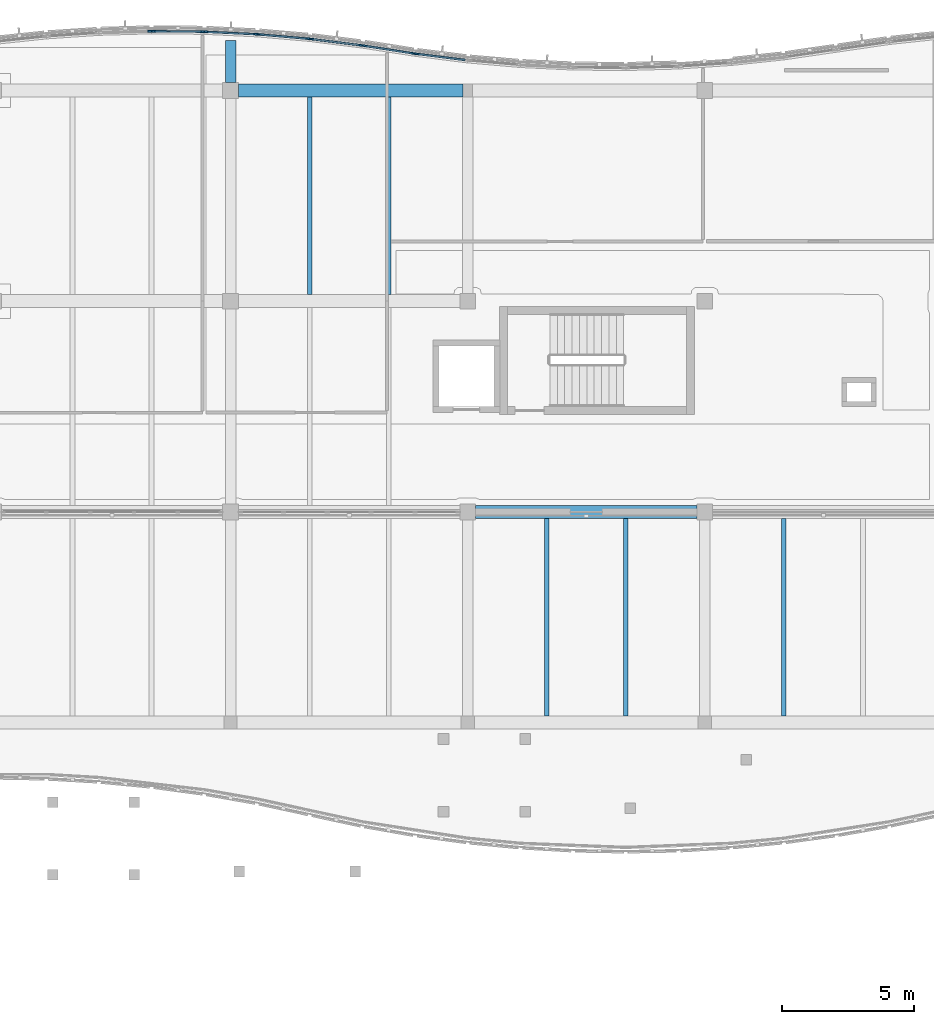
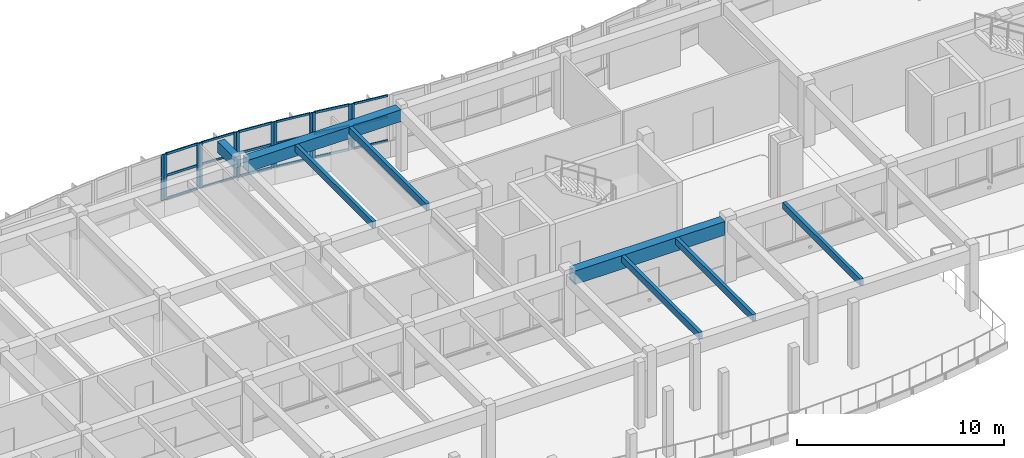
# One storey, part 24 of 89: 30 members, 8 beams, 7 elements without a shape of their own.
"""IFC4 building model written with IfcOpenShell, lengths in metres."""

from ifc_helpers import new_model, si_unit, direction, frame, origin, origin_2d, place, context, subcontext, project, spatial, rectangle, extrude, material, layer, layer_set, material_profile, profile_set, type_object, element, aggregate, save


model = new_model("IFC4")

# Units and contexts
model_context = context("Model", 3, precision=1e-05, world=origin(), true_north=direction((0.0, 1.0)))
body_context = subcontext(model_context, "Body", "Model", "MODEL_VIEW")
ifc_project = project(units=[si_unit("LENGTHUNIT", "METRE"), si_unit("AREAUNIT", "SQUARE_METRE"), si_unit("VOLUMEUNIT", "CUBIC_METRE"), si_unit("PLANEANGLEUNIT", "RADIAN"), si_unit("MASSUNIT", "GRAM", prefix="KILO")], contexts=[model_context])

# Site, building, storey
site_placement = place(None, origin())
site = spatial("IfcSite", under=ifc_project, at=site_placement, CompositionType="ELEMENT")
building_placement = place(site_placement, origin())
building = spatial("IfcBuilding", under=site, at=building_placement, Name="Tonlespit Floodbar School", CompositionType="ELEMENT")
storey_placement = place(building_placement, frame((0.0, 0.0, 4.5)))
storey = spatial("IfcBuildingStorey", under=building, at=storey_placement, Name="L01", CompositionType="ELEMENT", Elevation=4.5)

# Beams
ifc_material_1 = material(Name="Concrete C40/50", Category="concrete")
ifc_material_profile_1 = material_profile(ifc_material_1, rectangle(XDim=0.39990234375, YDim=0.64990234375, at=origin_2d()), Name="RC 400x650")
ifc_profile_set_1 = profile_set([ifc_material_profile_1], Name="Concrete C40/50")
beam_type_1 = type_object("IfcBeamType", Name="Beam_RC_400x650", PredefinedType="BEAM", material=ifc_profile_set_1)
beam_1_placement = place(storey_placement, frame((89.0, 120.300048828125, 3.320068359375), z_axis=(0.0, 1.0, 0.0), x_axis=(-1.0, 0.0, 0.0)))
element("IfcBeam", 1, at=beam_1_placement, inside=storey, type_object=beam_type_1, Name="L01 north street wave cantilever bracket", PredefinedType="BEAM", context=body_context, shape_type="SweptSolid", body=[
    extrude(rectangle(XDim=0.39990234375, YDim=0.64990234375, at=origin_2d()), origin(), (0.0, 0.0, 1.0), 1.58935546875),
])
ifc_material_profile_2 = material_profile(ifc_material_1, rectangle(XDim=0.5, YDim=0.800048828125, at=origin_2d()), Name="RC 500x800")
ifc_profile_set_2 = profile_set([ifc_material_profile_2], Name="Concrete C40/50")
beam_type_2 = type_object("IfcBeamType", Name="Beam_RC_500x800", PredefinedType="BEAM", material=ifc_profile_set_2)
beam_2_placement = place(storey_placement, frame((98.300048828125, 104.0, 3.2451171875), z_axis=(1.0, 0.0, 0.0), x_axis=(0.0, 1.0, 0.0)))
element("IfcBeam", 2, at=beam_2_placement, inside=storey, type_object=beam_type_2, Name="L01 girder 0635", PredefinedType="BEAM", context=body_context, shape_type="SweptSolid", body=[
    extrude(rectangle(XDim=0.5, YDim=0.800048828125, at=origin_2d()), origin(), (0.0, 0.0, 1.0), 8.39990234375),
])

# Curtain wall, member
ifc_material_2 = material(Name="Anodised Aluminium", Category="aluminium")
ifc_layer_1 = layer(ifc_material_2, 0.159912109375)
ifc_layer_set_1 = layer_set([ifc_layer_1], Name="Anodised Aluminium")
curtain_wall_type_1 = type_object("IfcCurtainWallType", Name="CurtainWall_1900x2700", PredefinedType="NOTDEFINED", material=ifc_layer_set_1)
curtain_wall_1_placement = place(storey_placement, origin())
curtain_wall_1 = element("IfcCurtainWall", 3, at=curtain_wall_1_placement, inside=storey, type_object=curtain_wall_type_1, Name="L01 unitised curtain wall 0060", PredefinedType="NOTDEFINED")
ifc_material_profile_3 = material_profile(ifc_material_2, rectangle(XDim=0.06494140625, YDim=0.14990234375, at=origin_2d()), Name="ALU M65x150")
ifc_profile_set_3 = profile_set([ifc_material_profile_3], Name="Anodised Aluminium")
member_type_1 = type_object("IfcMemberType", Name="CW_Mullion_65x150", PredefinedType="MULLION", material=ifc_profile_set_3)
member_1_placement = place(storey_placement, frame((85.927490234375, 122.244873046875, 0.949951171875), z_axis=(0.0, 0.0, 1.0), x_axis=(-0.028790144226, 0.999585477883, 0.0)))
member_1 = element("IfcMember", 4, at=member_1_placement, type_object=member_type_1, Name="CW-05 mullion 2", PredefinedType="MULLION", context=body_context, shape_type="SweptSolid", body=[
    extrude(rectangle(XDim=0.06494140625, YDim=0.14990234375, at=origin_2d()), origin(), (0.0, 0.0, 1.0), 2.699951171875),
])
aggregate(curtain_wall_1, [member_1])

# Curtain wall, members
curtain_wall_2_placement = place(storey_placement, origin())
curtain_wall_2 = element("IfcCurtainWall", 5, at=curtain_wall_2_placement, inside=storey, type_object=curtain_wall_type_1, Name="L01 unitised curtain wall 0062", PredefinedType="NOTDEFINED")
member_2_placement = place(storey_placement, frame((88.072509765625, 122.224365234375, 0.949951171875), z_axis=(0.0, 0.0, 1.0), x_axis=(0.048121270216, 0.998841500616, 0.0)))
member_2 = element("IfcMember", 6, at=member_2_placement, type_object=member_type_1, Name="CW-05 mullion 1", PredefinedType="MULLION", context=body_context, shape_type="SweptSolid", body=[
    extrude(rectangle(XDim=0.06494140625, YDim=0.14990234375, at=origin_2d()), origin(), (0.0, 0.0, 1.0), 2.699951171875),
])
member_3_placement = place(storey_placement, frame((89.927490234375, 122.135009765625, 0.949951171875), z_axis=(0.0, 0.0, 1.0), x_axis=(0.048121270216, 0.998841500616, 0.0)))
member_3 = element("IfcMember", 7, at=member_3_placement, type_object=member_type_1, Name="CW-05 mullion 2", PredefinedType="MULLION", context=body_context, shape_type="SweptSolid", body=[
    extrude(rectangle(XDim=0.06494140625, YDim=0.14990234375, at=origin_2d()), origin(), (0.0, 0.0, 1.0), 2.699951171875),
])

ifc_layer_2 = layer(ifc_material_2, 0.159912109375)
ifc_layer_set_2 = layer_set([ifc_layer_2], Name="Anodised Aluminium")
curtain_wall_type_2 = type_object("IfcCurtainWallType", Name="CurtainWall_1950x2700", PredefinedType="NOTDEFINED", material=ifc_layer_set_2)
curtain_wall_3_placement = place(storey_placement, origin())
curtain_wall_3 = element("IfcCurtainWall", 8, at=curtain_wall_3_placement, inside=storey, type_object=curtain_wall_type_2, Name="L01 unitised curtain wall 0064", PredefinedType="NOTDEFINED")
member_4_placement = place(storey_placement, frame((92.072021484375, 121.94873046875, 0.949951171875), z_axis=(0.0, 0.0, 1.0), x_axis=(0.125013803299, 0.992155002499, 0.0)))
member_4 = element("IfcMember", 9, at=member_4_placement, type_object=member_type_1, Name="CW-04 mullion 1", PredefinedType="MULLION", context=body_context, shape_type="SweptSolid", body=[
    extrude(rectangle(XDim=0.06494140625, YDim=0.14990234375, at=origin_2d()), origin(), (0.0, 0.0, 1.0), 2.699951171875),
])
member_5_placement = place(storey_placement, frame((93.927978515625, 121.71484375, 0.949951171875), z_axis=(0.0, 0.0, 1.0), x_axis=(0.125013803299, 0.992155002499, 0.0)))
member_5 = element("IfcMember", 10, at=member_5_placement, type_object=member_type_1, Name="CW-04 mullion 2", PredefinedType="MULLION", context=body_context, shape_type="SweptSolid", body=[
    extrude(rectangle(XDim=0.06494140625, YDim=0.14990234375, at=origin_2d()), origin(), (0.0, 0.0, 1.0), 2.699951171875),
])

# Curtain wall, member
curtain_wall_4_placement = place(storey_placement, origin())
curtain_wall_4 = element("IfcCurtainWall", 11, at=curtain_wall_4_placement, inside=storey, type_object=curtain_wall_type_2, Name="L01 unitised curtain wall 0066", PredefinedType="NOTDEFINED")
member_6_placement = place(storey_placement, frame((96.072021484375, 121.38525390625, 0.949951171875), z_axis=(0.0, 0.0, 1.0), x_axis=(0.125013803299, 0.992155002499, 0.0)))
member_6 = element("IfcMember", 12, at=member_6_placement, type_object=member_type_1, Name="CW-04 mullion 1", PredefinedType="MULLION", context=body_context, shape_type="SweptSolid", body=[
    extrude(rectangle(XDim=0.06494140625, YDim=0.14990234375, at=origin_2d()), origin(), (0.0, 0.0, 1.0), 2.699951171875),
])

# Curtain wall, members
curtain_wall_5_placement = place(storey_placement, origin())
curtain_wall_5 = element("IfcCurtainWall", 13, at=curtain_wall_5_placement, inside=storey, type_object=curtain_wall_type_1, Name="L01 unitised curtain wall 0061", PredefinedType="NOTDEFINED")
ifc_material_profile_4 = material_profile(ifc_material_2, rectangle(XDim=0.06494140625, YDim=0.179931640625, at=origin_2d()), Name="ALU M65x180")
ifc_profile_set_4 = profile_set([ifc_material_profile_4], Name="Anodised Aluminium")
member_type_2 = type_object("IfcMemberType", Name="CW_Mullion_65x180", PredefinedType="MULLION", material=ifc_profile_set_4)
member_7_placement = place(storey_placement, frame((86.072509765625, 122.246337890625, 0.949951171875), z_axis=(0.0, 0.0, 1.0), x_axis=(0.009582893292, 0.999954083024, 0.0)))
member_7 = element("IfcMember", 14, at=member_7_placement, type_object=member_type_2, Name="CW-05 mullion 1", PredefinedType="MULLION", context=body_context, shape_type="SweptSolid", body=[
    extrude(rectangle(XDim=0.06494140625, YDim=0.179931640625, at=origin_2d()), origin(), (0.0, 0.0, 1.0), 2.699951171875),
])
member_8_placement = place(storey_placement, frame((87.927490234375, 122.228515625, 0.949951171875), z_axis=(0.0, 0.0, 1.0), x_axis=(0.009582893292, 0.999954083024, 0.0)))
member_8 = element("IfcMember", 15, at=member_8_placement, type_object=member_type_2, Name="CW-05 mullion 2", PredefinedType="MULLION", context=body_context, shape_type="SweptSolid", body=[
    extrude(rectangle(XDim=0.06494140625, YDim=0.179931640625, at=origin_2d()), origin(), (0.0, 0.0, 1.0), 2.699951171875),
])

curtain_wall_6_placement = place(storey_placement, origin())
curtain_wall_6 = element("IfcCurtainWall", 16, at=curtain_wall_6_placement, inside=storey, type_object=curtain_wall_type_2, Name="L01 unitised curtain wall 0063", PredefinedType="NOTDEFINED")
member_9_placement = place(storey_placement, frame((90.072265625, 122.125244140625, 0.949951171875), z_axis=(0.0, 0.0, 1.0), x_axis=(0.086531117454, 0.996249148412, 0.0)))
member_9 = element("IfcMember", 17, at=member_9_placement, type_object=member_type_2, Name="CW-04 mullion 1", PredefinedType="MULLION", context=body_context, shape_type="SweptSolid", body=[
    extrude(rectangle(XDim=0.06494140625, YDim=0.179931640625, at=origin_2d()), origin(), (0.0, 0.0, 1.0), 2.699951171875),
])
member_10_placement = place(storey_placement, frame((91.927734375, 121.964111328125, 0.949951171875), z_axis=(0.0, 0.0, 1.0), x_axis=(0.086531117454, 0.996249148412, 0.0)))
member_10 = element("IfcMember", 18, at=member_10_placement, type_object=member_type_2, Name="CW-04 mullion 2", PredefinedType="MULLION", context=body_context, shape_type="SweptSolid", body=[
    extrude(rectangle(XDim=0.06494140625, YDim=0.179931640625, at=origin_2d()), origin(), (0.0, 0.0, 1.0), 2.699951171875),
])

curtain_wall_7_placement = place(storey_placement, origin())
curtain_wall_7 = element("IfcCurtainWall", 19, at=curtain_wall_7_placement, inside=storey, type_object=curtain_wall_type_2, Name="L01 unitised curtain wall 0065", PredefinedType="NOTDEFINED")
member_11_placement = place(storey_placement, frame((94.071533203125, 121.694580078125, 0.949951171875), z_axis=(0.0, 0.0, 1.0), x_axis=(0.153796288585, 0.988102576465, 0.0)))
member_11 = element("IfcMember", 20, at=member_11_placement, type_object=member_type_2, Name="CW-04 mullion 1", PredefinedType="MULLION", context=body_context, shape_type="SweptSolid", body=[
    extrude(rectangle(XDim=0.06494140625, YDim=0.179931640625, at=origin_2d()), origin(), (0.0, 0.0, 1.0), 2.699951171875),
])
member_12_placement = place(storey_placement, frame((95.928466796875, 121.405517578125, 0.949951171875), z_axis=(0.0, 0.0, 1.0), x_axis=(0.153796288585, 0.988102576465, 0.0)))
member_12 = element("IfcMember", 21, at=member_12_placement, type_object=member_type_2, Name="CW-04 mullion 2", PredefinedType="MULLION", context=body_context, shape_type="SweptSolid", body=[
    extrude(rectangle(XDim=0.06494140625, YDim=0.179931640625, at=origin_2d()), origin(), (0.0, 0.0, 1.0), 2.699951171875),
])

# Member
ifc_material_profile_5 = material_profile(ifc_material_2, rectangle(XDim=0.06494140625, YDim=0.1201171875, at=origin_2d()), Name="ALU T65x120")
ifc_profile_set_5 = profile_set([ifc_material_profile_5], Name="Anodised Aluminium")
member_type_3 = type_object("IfcMemberType", Name="CW_Transom_65x120", PredefinedType="USERDEFINED", material=ifc_profile_set_5)
member_13_placement = place(storey_placement, frame((88.10498046875, 122.22265625, 0.982421875), z_axis=(0.998843034795, -0.048089415069, 0.0), x_axis=(0.048089415069, 0.998843034795, 0.0)))
member_13 = element("IfcMember", 22, at=member_13_placement, type_object=member_type_3, Name="CW-05 transom 1.1", ObjectType="TRANSOM", PredefinedType="USERDEFINED", context=body_context, shape_type="SweptSolid", body=[
    extrude(rectangle(XDim=0.06494140625, YDim=0.1201171875, at=origin_2d()), origin(), (0.0, 0.0, 1.0), 1.7919921875),
])

member_14_placement = place(storey_placement, frame((88.10498046875, 122.22265625, 2.35400390625), z_axis=(0.998843034795, -0.048089415069, 0.0), x_axis=(0.048089415069, 0.998843034795, 0.0)))
member_14 = element("IfcMember", 23, at=member_14_placement, type_object=member_type_3, Name="CW-05 transom 1.2", ObjectType="TRANSOM", PredefinedType="USERDEFINED", context=body_context, shape_type="SweptSolid", body=[
    extrude(rectangle(XDim=0.06494140625, YDim=0.1201171875, at=origin_2d()), origin(), (0.0, 0.0, 1.0), 1.7919921875),
])

member_15_placement = place(storey_placement, frame((88.10498046875, 122.22265625, 3.617431640625), z_axis=(0.998843034795, -0.048089415069, 0.0), x_axis=(0.048089415069, 0.998843034795, 0.0)))
member_15 = element("IfcMember", 24, at=member_15_placement, type_object=member_type_3, Name="CW-05 transom 1.3", ObjectType="TRANSOM", PredefinedType="USERDEFINED", context=body_context, shape_type="SweptSolid", body=[
    extrude(rectangle(XDim=0.06494140625, YDim=0.1201171875, at=origin_2d()), origin(), (0.0, 0.0, 1.0), 1.7919921875),
])

aggregate(curtain_wall_2, [member_2, member_3, member_13, member_14, member_15])

member_16_placement = place(storey_placement, frame((92.104248046875, 121.944580078125, 0.982421875), z_axis=(0.992148373735, -0.125066400341, 0.0), x_axis=(0.125066400341, 0.992148373735, 0.0)))
member_16 = element("IfcMember", 25, at=member_16_placement, type_object=member_type_3, Name="CW-04 transom 1.1", ObjectType="TRANSOM", PredefinedType="USERDEFINED", context=body_context, shape_type="SweptSolid", body=[
    extrude(rectangle(XDim=0.06494140625, YDim=0.1201171875, at=origin_2d()), origin(), (0.0, 0.0, 1.0), 1.8056640625),
])

member_17_placement = place(storey_placement, frame((92.104248046875, 121.944580078125, 2.35400390625), z_axis=(0.992148373735, -0.125066400341, 0.0), x_axis=(0.125066400341, 0.992148373735, 0.0)))
member_17 = element("IfcMember", 26, at=member_17_placement, type_object=member_type_3, Name="CW-04 transom 1.2", ObjectType="TRANSOM", PredefinedType="USERDEFINED", context=body_context, shape_type="SweptSolid", body=[
    extrude(rectangle(XDim=0.06494140625, YDim=0.1201171875, at=origin_2d()), origin(), (0.0, 0.0, 1.0), 1.8056640625),
])

member_18_placement = place(storey_placement, frame((92.104248046875, 121.944580078125, 3.617431640625), z_axis=(0.992148373735, -0.125066400341, 0.0), x_axis=(0.125066400341, 0.992148373735, 0.0)))
member_18 = element("IfcMember", 27, at=member_18_placement, type_object=member_type_3, Name="CW-04 transom 1.3", ObjectType="TRANSOM", PredefinedType="USERDEFINED", context=body_context, shape_type="SweptSolid", body=[
    extrude(rectangle(XDim=0.06494140625, YDim=0.1201171875, at=origin_2d()), origin(), (0.0, 0.0, 1.0), 1.8056640625),
])

aggregate(curtain_wall_3, [member_4, member_5, member_16, member_17, member_18])

member_19_placement = place(storey_placement, frame((96.104248046875, 121.381103515625, 0.982421875), z_axis=(0.992165142165, -0.124933304901, 0.0), x_axis=(0.124933304901, 0.992165142165, 0.0)))
member_19 = element("IfcMember", 28, at=member_19_placement, type_object=member_type_3, Name="CW-04 transom 1.1", ObjectType="TRANSOM", PredefinedType="USERDEFINED", context=body_context, shape_type="SweptSolid", body=[
    extrude(rectangle(XDim=0.06494140625, YDim=0.1201171875, at=origin_2d()), origin(), (0.0, 0.0, 1.0), 1.8056640625),
])

member_20_placement = place(storey_placement, frame((96.104248046875, 121.381103515625, 2.35400390625), z_axis=(0.992165142165, -0.124933304901, 0.0), x_axis=(0.124933304901, 0.992165142165, 0.0)))
member_20 = element("IfcMember", 29, at=member_20_placement, type_object=member_type_3, Name="CW-04 transom 1.2", ObjectType="TRANSOM", PredefinedType="USERDEFINED", context=body_context, shape_type="SweptSolid", body=[
    extrude(rectangle(XDim=0.06494140625, YDim=0.1201171875, at=origin_2d()), origin(), (0.0, 0.0, 1.0), 1.8056640625),
])

member_21_placement = place(storey_placement, frame((96.104248046875, 121.381103515625, 3.617431640625), z_axis=(0.992165142165, -0.124933304901, 0.0), x_axis=(0.124933304901, 0.992165142165, 0.0)))
member_21 = element("IfcMember", 30, at=member_21_placement, type_object=member_type_3, Name="CW-04 transom 1.3", ObjectType="TRANSOM", PredefinedType="USERDEFINED", context=body_context, shape_type="SweptSolid", body=[
    extrude(rectangle(XDim=0.06494140625, YDim=0.1201171875, at=origin_2d()), origin(), (0.0, 0.0, 1.0), 1.8056640625),
])

aggregate(curtain_wall_4, [member_6, member_19, member_20, member_21])

ifc_material_profile_6 = material_profile(ifc_material_2, rectangle(XDim=0.06494140625, YDim=0.139892578125, at=origin_2d()), Name="ALU T65x140")
ifc_profile_set_6 = profile_set([ifc_material_profile_6], Name="Anodised Aluminium")
member_type_4 = type_object("IfcMemberType", Name="CW_Transom_65x140", PredefinedType="USERDEFINED", material=ifc_profile_set_6)
member_22_placement = place(storey_placement, frame((86.10498046875, 122.24609375, 0.982421875), z_axis=(0.999953117448, -0.009683124842, 0.0), x_axis=(0.009683124842, 0.999953117448, 0.0)))
member_22 = element("IfcMember", 31, at=member_22_placement, type_object=member_type_4, Name="CW-05 transom 1.1", ObjectType="TRANSOM", PredefinedType="USERDEFINED", context=body_context, shape_type="SweptSolid", body=[
    extrude(rectangle(XDim=0.06494140625, YDim=0.139892578125, at=origin_2d()), origin(), (0.0, 0.0, 1.0), 1.7900390625),
])

member_23_placement = place(storey_placement, frame((86.10498046875, 122.24609375, 2.35400390625), z_axis=(0.999953117448, -0.009683124842, 0.0), x_axis=(0.009683124842, 0.999953117448, 0.0)))
member_23 = element("IfcMember", 32, at=member_23_placement, type_object=member_type_4, Name="CW-05 transom 1.2", ObjectType="TRANSOM", PredefinedType="USERDEFINED", context=body_context, shape_type="SweptSolid", body=[
    extrude(rectangle(XDim=0.06494140625, YDim=0.139892578125, at=origin_2d()), origin(), (0.0, 0.0, 1.0), 1.7900390625),
])

member_24_placement = place(storey_placement, frame((86.10498046875, 122.24609375, 3.617431640625), z_axis=(0.999953117448, -0.009683124842, 0.0), x_axis=(0.009683124842, 0.999953117448, 0.0)))
member_24 = element("IfcMember", 33, at=member_24_placement, type_object=member_type_4, Name="CW-05 transom 1.3", ObjectType="TRANSOM", PredefinedType="USERDEFINED", context=body_context, shape_type="SweptSolid", body=[
    extrude(rectangle(XDim=0.06494140625, YDim=0.139892578125, at=origin_2d()), origin(), (0.0, 0.0, 1.0), 1.7900390625),
])

aggregate(curtain_wall_5, [member_7, member_8, member_22, member_23, member_24])

member_25_placement = place(storey_placement, frame((90.1044921875, 122.122314453125, 0.982421875), z_axis=(0.996251281774, -0.086506552139, 0.0), x_axis=(0.086506552139, 0.996251281774, 0.0)))
member_25 = element("IfcMember", 34, at=member_25_placement, type_object=member_type_4, Name="CW-04 transom 1.1", ObjectType="TRANSOM", PredefinedType="USERDEFINED", context=body_context, shape_type="SweptSolid", body=[
    extrude(rectangle(XDim=0.06494140625, YDim=0.139892578125, at=origin_2d()), origin(), (0.0, 0.0, 1.0), 1.7978515625),
])

member_26_placement = place(storey_placement, frame((90.1044921875, 122.122314453125, 2.35400390625), z_axis=(0.996251281774, -0.086506552139, 0.0), x_axis=(0.086506552139, 0.996251281774, 0.0)))
member_26 = element("IfcMember", 35, at=member_26_placement, type_object=member_type_4, Name="CW-04 transom 1.2", ObjectType="TRANSOM", PredefinedType="USERDEFINED", context=body_context, shape_type="SweptSolid", body=[
    extrude(rectangle(XDim=0.06494140625, YDim=0.139892578125, at=origin_2d()), origin(), (0.0, 0.0, 1.0), 1.7978515625),
])

member_27_placement = place(storey_placement, frame((90.1044921875, 122.122314453125, 3.617431640625), z_axis=(0.996251281774, -0.086506552139, 0.0), x_axis=(0.086506552139, 0.996251281774, 0.0)))
member_27 = element("IfcMember", 36, at=member_27_placement, type_object=member_type_4, Name="CW-04 transom 1.3", ObjectType="TRANSOM", PredefinedType="USERDEFINED", context=body_context, shape_type="SweptSolid", body=[
    extrude(rectangle(XDim=0.06494140625, YDim=0.139892578125, at=origin_2d()), origin(), (0.0, 0.0, 1.0), 1.7978515625),
])

aggregate(curtain_wall_6, [member_9, member_10, member_25, member_26, member_27])

member_28_placement = place(storey_placement, frame((94.103759765625, 121.689453125, 0.982421875), z_axis=(0.988097838313, -0.15382672694, 0.0), x_axis=(0.15382672694, 0.988097838313, 0.0)))
member_28 = element("IfcMember", 37, at=member_28_placement, type_object=member_type_4, Name="CW-04 transom 1.1", ObjectType="TRANSOM", PredefinedType="USERDEFINED", context=body_context, shape_type="SweptSolid", body=[
    extrude(rectangle(XDim=0.06494140625, YDim=0.139892578125, at=origin_2d()), origin(), (0.0, 0.0, 1.0), 1.81396484375),
])

member_29_placement = place(storey_placement, frame((94.103759765625, 121.689453125, 2.35400390625), z_axis=(0.988097838313, -0.15382672694, 0.0), x_axis=(0.15382672694, 0.988097838313, 0.0)))
member_29 = element("IfcMember", 38, at=member_29_placement, type_object=member_type_4, Name="CW-04 transom 1.2", ObjectType="TRANSOM", PredefinedType="USERDEFINED", context=body_context, shape_type="SweptSolid", body=[
    extrude(rectangle(XDim=0.06494140625, YDim=0.139892578125, at=origin_2d()), origin(), (0.0, 0.0, 1.0), 1.81396484375),
])

member_30_placement = place(storey_placement, frame((94.103759765625, 121.689453125, 3.617431640625), z_axis=(0.988097838313, -0.15382672694, 0.0), x_axis=(0.15382672694, 0.988097838313, 0.0)))
member_30 = element("IfcMember", 39, at=member_30_placement, type_object=member_type_4, Name="CW-04 transom 1.3", ObjectType="TRANSOM", PredefinedType="USERDEFINED", context=body_context, shape_type="SweptSolid", body=[
    extrude(rectangle(XDim=0.06494140625, YDim=0.139892578125, at=origin_2d()), origin(), (0.0, 0.0, 1.0), 1.81396484375),
])

aggregate(curtain_wall_7, [member_11, member_12, member_28, member_29, member_30])

# Beams
ifc_material_3 = material(Name="Glulam GL28h", Category="wood")
ifc_material_profile_7 = material_profile(ifc_material_3, rectangle(XDim=0.179931640625, YDim=0.39990234375, at=origin_2d()), Name="GL 180x400")
ifc_profile_set_7 = profile_set([ifc_material_profile_7], Name="Glulam GL28h")
beam_type_3 = type_object("IfcBeamType", Name="Joist_GL_180x400", PredefinedType="JOIST", material=ifc_profile_set_7)
for number, where, z_axis, x_axis, name in (
    (40, (101.0, 96.25, 3.447998046875), (0.0, 1.0, 0.0), (-1.0, 0.0, 0.0), "L01 secondary joist 0875"),
    (41, (104.0, 96.25, 3.447998046875), (0.0, 1.0, 0.0), (-1.0, 0.0, 0.0), "L01 secondary joist 0876"),
    (42, (110.0, 96.25, 3.447998046875), (0.0, 1.0, 0.0), (-1.0, 0.0, 0.0), "L01 secondary joist 0877"),
    (43, (92.0, 112.25, 3.445068359375), (0.0, 1.0, 0.0), (-1.0, 0.0, 0.0), "L01 secondary joist 0904"),
    (44, (95.0, 112.25, 3.445068359375), (0.0, 1.0, 0.0), (-1.0, 0.0, 0.0), "L01 secondary joist 0905"),
):
    element("IfcBeam", number, at=place(storey_placement, frame(where, z_axis=z_axis, x_axis=x_axis)), inside=storey, type_object=beam_type_3, Name=name, PredefinedType="JOIST", context=body_context, shape_type="SweptSolid", body=[
        extrude(rectangle(XDim=0.179931640625, YDim=0.39990234375, at=origin_2d()), origin(), (0.0, 0.0, 1.0), 7.5),
    ])
ifc_material_profile_8 = material_profile(ifc_material_1, rectangle(XDim=0.5, YDim=0.699951171875, at=origin_2d()), Name="RC 500x700")
ifc_profile_set_8 = profile_set([ifc_material_profile_8], Name="Concrete C40/50")
beam_type_4 = type_object("IfcBeamType", Name="Spandrel_RC_500x700", PredefinedType="SPANDREL", material=ifc_profile_set_8)
beam_3_placement = place(storey_placement, frame((89.300048828125, 120.0, 3.294921875), z_axis=(1.0, 0.0, 0.0), x_axis=(0.0, 1.0, 0.0)))
element("IfcBeam", 45, at=beam_3_placement, inside=storey, type_object=beam_type_4, Name="L01 girder 0660", PredefinedType="SPANDREL", context=body_context, shape_type="SweptSolid", body=[
    extrude(rectangle(XDim=0.5, YDim=0.699951171875, at=origin_2d()), origin(), (0.0, 0.0, 1.0), 8.52490234375),
])

save(model, "model.ifc")
